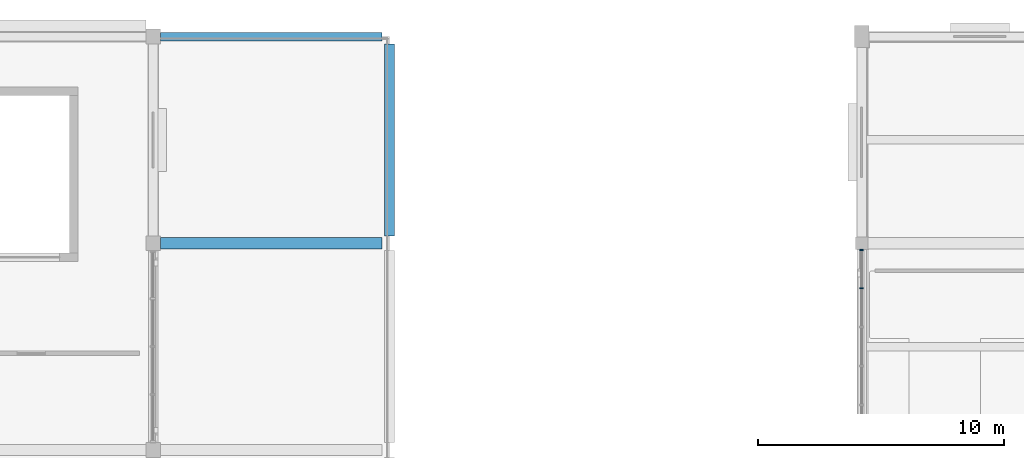
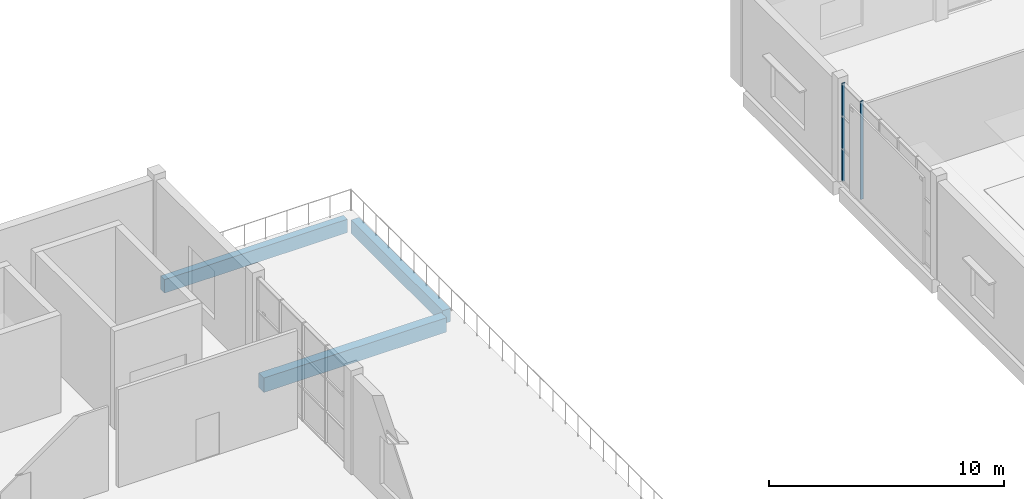
# One storey, part 21 of 72: 3 beams, 2 members, 1 element without a shape of its own.
"""IFC4 building model written with IfcOpenShell, lengths in metres."""

from ifc_helpers import new_model, si_unit, direction, frame, origin, origin_2d, place, context, subcontext, project, spatial, rectangle, extrude, material, material_profile, profile_set, type_object, element, aggregate, save


model = new_model("IFC4")

# Units and contexts
model_context = context("Model", 3, precision=1e-05, world=origin(), true_north=direction((0.0, 1.0)))
body_context = subcontext(model_context, "Body", "Model", "MODEL_VIEW")
ifc_project = project(units=[si_unit("LENGTHUNIT", "METRE"), si_unit("AREAUNIT", "SQUARE_METRE"), si_unit("VOLUMEUNIT", "CUBIC_METRE"), si_unit("PLANEANGLEUNIT", "RADIAN"), si_unit("MASSUNIT", "GRAM", prefix="KILO")], contexts=[model_context])

# Site, building, storey
site_placement = place(None, origin())
site = spatial("IfcSite", under=ifc_project, at=site_placement, CompositionType="ELEMENT")
building_placement = place(site_placement, origin())
building = spatial("IfcBuilding", under=site, at=building_placement, Name="Shalvenor Court Art Gallery", CompositionType="ELEMENT")
storey_placement = place(building_placement, frame((0.0, 0.0, 11.39990234375)))
storey = spatial("IfcBuildingStorey", under=building, at=storey_placement, Name="L02", CompositionType="ELEMENT", Elevation=11.39990234375)

# Beams
ifc_material_1 = material(Name="Concrete C40/50", Category="concrete")
ifc_material_profile_1 = material_profile(ifc_material_1, rectangle(XDim=0.449951171875, YDim=0.75, at=origin_2d()), Name="RC 450x750")
ifc_profile_set_1 = profile_set([ifc_material_profile_1], Name="Concrete C40/50")
beam_type_1 = type_object("IfcBeamType", Name="B-04", PredefinedType="BEAM", material=ifc_profile_set_1)
beam_1_placement = place(storey_placement, frame((29.10009765625, 114.0, -0.69482421875), z_axis=(1.0, 0.0, 0.0), x_axis=(0.0, 1.0, 0.0)))
element("IfcBeam", 1, at=beam_1_placement, inside=storey, type_object=beam_type_1, Name="L02 Girder BM-L02-B-04-0894", PredefinedType="BEAM", context=body_context, shape_type="SweptSolid", body=[
    extrude(rectangle(XDim=0.449951171875, YDim=0.75, at=origin_2d()), origin(), (0.0, 0.0, 1.0), 9.0),
])
ifc_material_2 = material(Name="Concrete C40/50", Category="concrete")
ifc_material_profile_2 = material_profile(ifc_material_2, rectangle(XDim=0.39990234375, YDim=0.699951171875, at=origin_2d()), Name="RC 400x700")
ifc_profile_set_2 = profile_set([ifc_material_profile_2], Name="Concrete C40/50")
beam_type_2 = type_object("IfcBeamType", Name="B-05", PredefinedType="BEAM", material=ifc_profile_set_2)
beam_2_placement = place(storey_placement, frame((38.39990234375, 114.300048828125, -0.669921875), z_axis=(0.0, 1.0, 0.0), x_axis=(-1.0, 0.0, 0.0)))
element("IfcBeam", 2, at=beam_2_placement, inside=storey, type_object=beam_type_2, Name="L02 Girder BM-L02-B-05-0722", PredefinedType="BEAM", context=body_context, shape_type="SweptSolid", body=[
    extrude(rectangle(XDim=0.39990234375, YDim=0.699951171875, at=origin_2d()), origin(), (0.0, 0.0, 1.0), 7.800048828125),
])

# Curtain wall, members
ifc_material_3 = material(Name="Anodised aluminium and low-iron glass curtain wall", Category="aluminium")
curtain_wall_type = type_object("IfcCurtainWallType", Name="CW-5x3-79-51-622", PredefinedType="USERDEFINED", material=ifc_material_3)
curtain_wall_placement = place(storey_placement, origin())
curtain_wall = element("IfcCurtainWall", 3, at=curtain_wall_placement, inside=storey, type_object=curtain_wall_type, Name="L02 V2 Curtain Wall CW-L02-079", ObjectType="CURTAIN WALL", PredefinedType="USERDEFINED")
ifc_material_4 = material(Name="Anodised aluminium mullion", Category="aluminium")
ifc_material_profile_3 = material_profile(ifc_material_4, rectangle(XDim=0.054931640625, YDim=0.139892578125, at=origin_2d()), Name="CWM-06")
ifc_profile_set_3 = profile_set([ifc_material_profile_3], Name="Anodised aluminium mullion")
member_type = type_object("IfcMemberType", Name="CWM-06", PredefinedType="MULLION", material=ifc_profile_set_3)
member_1_placement = place(storey_placement, frame((57.60009765625, 112.169921875, 0.0), z_axis=(0.0, 0.0, 1.0), x_axis=(0.0, 1.0, 0.0)))
member_1 = element("IfcMember", 4, at=member_1_placement, type_object=member_type, Name="CW-5x3-79-51-622 mullion 5", PredefinedType="MULLION", context=body_context, shape_type="SweptSolid", body=[
    extrude(rectangle(XDim=0.054931640625, YDim=0.139892578125, at=origin_2d()), origin(), (0.0, 0.0, 1.0), 5.10009765625),
])
member_2_placement = place(storey_placement, frame((57.60009765625, 113.722412109375, 0.0), z_axis=(0.0, 0.0, 1.0), x_axis=(0.0, 1.0, 0.0)))
member_2 = element("IfcMember", 5, at=member_2_placement, type_object=member_type, Name="CW-5x3-79-51-622 mullion 6", PredefinedType="MULLION", context=body_context, shape_type="SweptSolid", body=[
    extrude(rectangle(XDim=0.054931640625, YDim=0.139892578125, at=origin_2d()), origin(), (0.0, 0.0, 1.0), 5.10009765625),
])
aggregate(curtain_wall, [member_1, member_2])

# Beam
ifc_material_5 = material(Name="Concrete C40/50", Category="concrete")
ifc_material_profile_4 = material_profile(ifc_material_5, rectangle(XDim=0.35009765625, YDim=0.699951171875, at=origin_2d()), Name="RC 350x700")
ifc_profile_set_4 = profile_set([ifc_material_profile_4], Name="Concrete C40/50")
beam_type_3 = type_object("IfcBeamType", Name="SP-01", PredefinedType="SPANDREL", material=ifc_profile_set_4)
beam_3_placement = place(storey_placement, frame((29.10009765625, 122.39990234375, -0.669921875), z_axis=(1.0, 0.0, 0.0), x_axis=(0.0, 1.0, 0.0)))
element("IfcBeam", 6, at=beam_3_placement, inside=storey, type_object=beam_type_3, Name="L02 Spandrel Girder BM-L02-SP-01-0905", PredefinedType="SPANDREL", context=body_context, shape_type="SweptSolid", body=[
    extrude(rectangle(XDim=0.35009765625, YDim=0.699951171875, at=origin_2d()), origin(), (0.0, 0.0, 1.0), 9.0),
])

save(model, "model.ifc")
